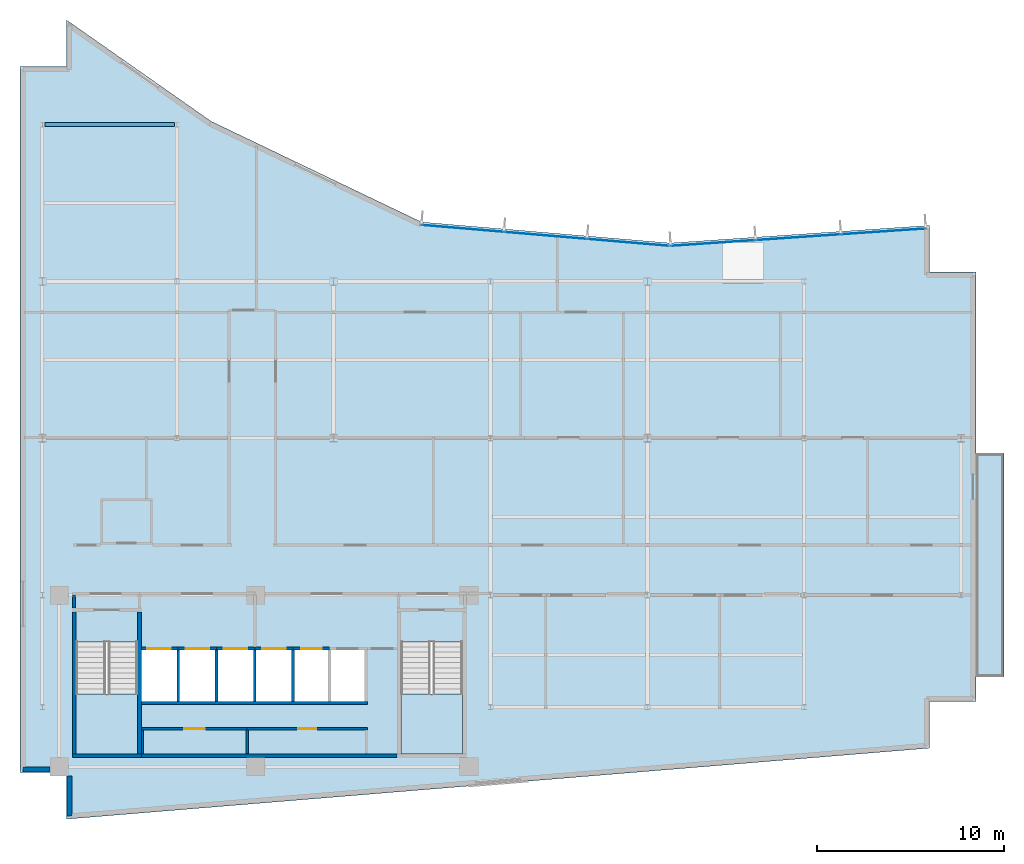
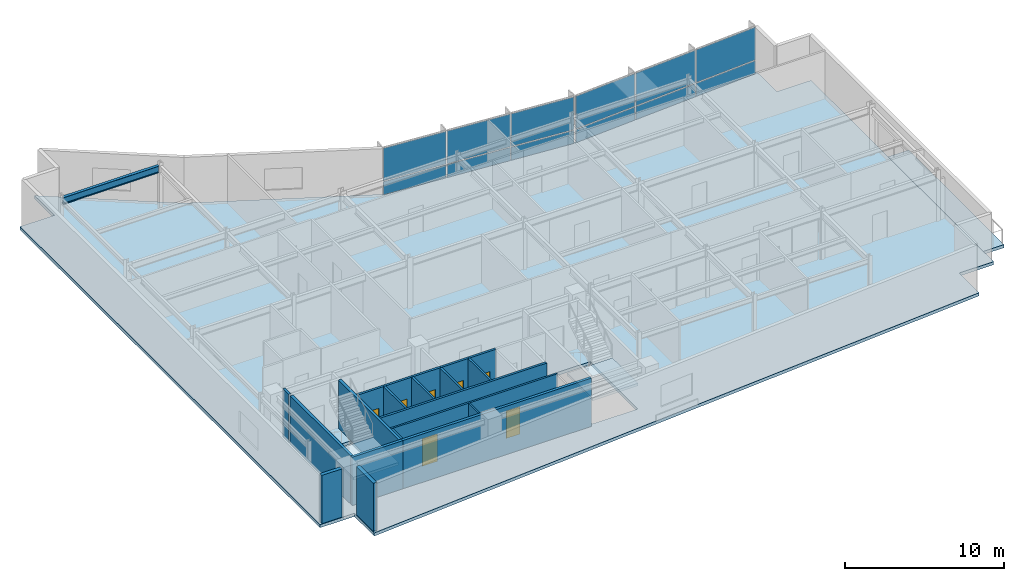
# One storey, part 8 of 14: 21 walls, 12 plates, 7 doors, 4 slabs, 1 beam, 7 openings, 4 elements without a shape of their own.
"""IFC4 building model written with IfcOpenShell, lengths in metres."""

from ifc_helpers import new_model, si_unit, direction, frame, frame_2d, origin, origin_2d, place, context, subcontext, project, spatial, polyline, rectangle, i_section, outline, extrude, material, layer, layer_set, material_profile, profile_set, type_object, element, fill, aggregate, save


model = new_model("IFC4")

# Units and contexts
model_context = context("Model", 3, precision=1e-05, world=origin(), true_north=direction((0.0, 1.0)))
body_context = subcontext(model_context, "Body", "Model", "MODEL_VIEW")
ifc_project = project(units=[si_unit("LENGTHUNIT", "METRE"), si_unit("AREAUNIT", "SQUARE_METRE"), si_unit("VOLUMEUNIT", "CUBIC_METRE"), si_unit("PLANEANGLEUNIT", "RADIAN"), si_unit("MASSUNIT", "GRAM", prefix="KILO")], contexts=[model_context])

# Site, building, storey
site_placement = place(None, origin())
site = spatial("IfcSite", under=ifc_project, at=site_placement, CompositionType="ELEMENT")
building_placement = place(site_placement, origin())
building = spatial("IfcBuilding", under=site, at=building_placement, Name="Varnakote Quay Hospital", CompositionType="ELEMENT")
storey_placement = place(building_placement, frame((0.0, 0.0, 211.85009765625)))
storey = spatial("IfcBuildingStorey", under=building, at=storey_placement, Name="L52", CompositionType="ELEMENT", Elevation=211.85009765625)

# Beam
ifc_material_1 = material(Name="Structural steel AS/NZS 3679.1 Grade 350 L0 (fy 340 MPa)", Category="steel")
ifc_material_profile = material_profile(ifc_material_1, i_section(OverallWidth=0.208984375, OverallDepth=0.532958984375, WebThickness=0.01025390625, FlangeThickness=0.015625, FilletRadius=0.013916015625, at=origin_2d()), Name="530UB92.4")
ifc_profile_set = profile_set([ifc_material_profile], Name="Structural steel AS/NZS 3679.1 Grade 350 L0 (fy 340 MPa)")
beam_type = type_object("IfcBeamType", Name="BM-STL-530UB92-4", PredefinedType="BEAM", material=ifc_profile_set)
beam_placement = place(storey_placement, frame((1.327880859375, 37.199951171875, 3.443359375), z_axis=(1.0, 0.0, 0.0), x_axis=(0.0, 1.0, 0.0)))
element("IfcBeam", 1, at=beam_placement, inside=storey, type_object=beam_type, Name="L52 Primary Floor Beam", PredefinedType="BEAM", context=body_context, shape_type="SweptSolid", body=[
    extrude(i_section(OverallWidth=0.208984375, OverallDepth=0.532958984375, WebThickness=0.01025390625, FlangeThickness=0.015625, FilletRadius=0.013916015625, at=origin_2d()), origin(), (0.0, 0.0, 1.0), 6.944091796875),
])

# Curtain wall, plates
ifc_material_2 = material(Name="Anodised aluminium 6063-T6 Bronze", Category="aluminium")
ifc_layer_1 = layer(ifc_material_2, 0.219970703125)
ifc_layer_set_1 = layer_set([ifc_layer_1], Name="Anodised aluminium 6063-T6 Bronze")
curtain_wall_type = type_object("IfcCurtainWallType", Name="CW-SYS-4", PredefinedType="NOTDEFINED", material=ifc_layer_set_1)
curtain_wall_1_placement = place(storey_placement, origin())
curtain_wall_1 = element("IfcCurtainWall", 2, at=curtain_wall_1_placement, inside=storey, type_object=curtain_wall_type, Name="L52 Unitised Bronze Curtain Wall 1", PredefinedType="NOTDEFINED")
ifc_material_3 = material(Name="Double-glazed low-E solar glass", Category="glass")
ifc_layer_2 = layer(ifc_material_3, 0.028076171875)
ifc_layer_set_2 = layer_set([ifc_layer_2], Name="Double-glazed low-E solar glass")
plate_type = type_object("IfcPlateType", Name="CW-PNL-GLZ-28", PredefinedType="CURTAIN_PANEL", material=ifc_layer_set_2)
plate_1_placement = place(storey_placement, frame((46.236328125, 31.47216796875, 0.06494140625), z_axis=(0.0, 0.0, 1.0), x_axis=(-0.997696087615, -0.067841851077, 0.0)))
plate_1 = element("IfcPlate", 3, at=plate_1_placement, type_object=plate_type, Name="-4-L52-1 panel 1.1", PredefinedType="CURTAIN_PANEL", context=body_context, shape_type="SweptSolid", body=[
    extrude(rectangle(XDim=4.48828125, YDim=0.028076171875, at=origin_2d()), origin(), (0.0, 0.0, 1.0), 1.00244140625),
])
plate_2_placement = place(storey_placement, frame((46.236328125, 31.47216796875, 1.13232421875), z_axis=(0.0, 0.0, 1.0), x_axis=(-0.997696087615, -0.067841851077, 0.0)))
plate_2 = element("IfcPlate", 4, at=plate_2_placement, type_object=plate_type, Name="-4-L52-1 panel 1.2", PredefinedType="CURTAIN_PANEL", context=body_context, shape_type="SweptSolid", body=[
    extrude(rectangle(XDim=4.48828125, YDim=0.028076171875, at=origin_2d()), origin(), (0.0, 0.0, 1.0), 2.512451171875),
])
plate_3_placement = place(storey_placement, frame((41.67724609375, 31.162109375, 0.06494140625), z_axis=(0.0, 0.0, 1.0), x_axis=(-0.997696087615, -0.067841851077, 0.0)))
plate_3 = element("IfcPlate", 5, at=plate_3_placement, type_object=plate_type, Name="-4-L52-1 panel 2.1", PredefinedType="CURTAIN_PANEL", context=body_context, shape_type="SweptSolid", body=[
    extrude(rectangle(XDim=4.520751953125, YDim=0.028076171875, at=origin_2d()), origin(), (0.0, 0.0, 1.0), 1.00244140625),
])
plate_4_placement = place(storey_placement, frame((41.67724609375, 31.162109375, 1.13232421875), z_axis=(0.0, 0.0, 1.0), x_axis=(-0.997696087615, -0.067841851077, 0.0)))
plate_4 = element("IfcPlate", 6, at=plate_4_placement, type_object=plate_type, Name="-4-L52-1 panel 2.2", PredefinedType="CURTAIN_PANEL", context=body_context, shape_type="SweptSolid", body=[
    extrude(rectangle(XDim=4.520751953125, YDim=0.028076171875, at=origin_2d()), origin(), (0.0, 0.0, 1.0), 2.512451171875),
])
plate_5_placement = place(storey_placement, frame((37.118408203125, 30.85205078125, 0.06494140625), z_axis=(0.0, 0.0, 1.0), x_axis=(-0.997696087615, -0.067841851077, 0.0)))
plate_5 = element("IfcPlate", 7, at=plate_5_placement, type_object=plate_type, Name="-4-L52-1 panel 3.1", PredefinedType="CURTAIN_PANEL", context=body_context, shape_type="SweptSolid", body=[
    extrude(rectangle(XDim=4.48828125, YDim=0.028076171875, at=origin_2d()), origin(), (0.0, 0.0, 1.0), 1.00244140625),
])
plate_6_placement = place(storey_placement, frame((37.118408203125, 30.85205078125, 1.13232421875), z_axis=(0.0, 0.0, 1.0), x_axis=(-0.997696087615, -0.067841851077, 0.0)))
plate_6 = element("IfcPlate", 8, at=plate_6_placement, type_object=plate_type, Name="-4-L52-1 panel 3.2", PredefinedType="CURTAIN_PANEL", context=body_context, shape_type="SweptSolid", body=[
    extrude(rectangle(XDim=4.48828125, YDim=0.028076171875, at=origin_2d()), origin(), (0.0, 0.0, 1.0), 2.512451171875),
])
aggregate(curtain_wall_1, [plate_1, plate_2, plate_3, plate_4, plate_5, plate_6])

curtain_wall_2_placement = place(storey_placement, origin())
curtain_wall_2 = element("IfcCurtainWall", 9, at=curtain_wall_2_placement, inside=storey, type_object=curtain_wall_type, Name="L52 Unitised Bronze Curtain Wall 2", PredefinedType="NOTDEFINED")
plate_7_placement = place(storey_placement, frame((32.572998046875, 30.884765625, 0.06494140625), z_axis=(0.0, 0.0, 1.0), x_axis=(-0.996454277304, 0.084136040089, 0.0)))
plate_7 = element("IfcPlate", 10, at=plate_7_placement, type_object=plate_type, Name="-4-L52-2 panel 1.1", PredefinedType="CURTAIN_PANEL", context=body_context, shape_type="SweptSolid", body=[
    extrude(rectangle(XDim=4.369384765625, YDim=0.028076171875, at=origin_2d()), origin(), (0.0, 0.0, 1.0), 1.00244140625),
])
plate_8_placement = place(storey_placement, frame((32.572998046875, 30.884765625, 1.13232421875), z_axis=(0.0, 0.0, 1.0), x_axis=(-0.996454277304, 0.084136040089, 0.0)))
plate_8 = element("IfcPlate", 11, at=plate_8_placement, type_object=plate_type, Name="-4-L52-2 panel 1.2", PredefinedType="CURTAIN_PANEL", context=body_context, shape_type="SweptSolid", body=[
    extrude(rectangle(XDim=4.369384765625, YDim=0.028076171875, at=origin_2d()), origin(), (0.0, 0.0, 1.0), 2.512451171875),
])
plate_9_placement = place(storey_placement, frame((28.137939453125, 31.25927734375, 0.06494140625), z_axis=(0.0, 0.0, 1.0), x_axis=(-0.996454277304, 0.084136040089, 0.0)))
plate_9 = element("IfcPlate", 12, at=plate_9_placement, type_object=plate_type, Name="-4-L52-2 panel 2.1", PredefinedType="CURTAIN_PANEL", context=body_context, shape_type="SweptSolid", body=[
    extrude(rectangle(XDim=4.40185546875, YDim=0.028076171875, at=origin_2d()), origin(), (0.0, 0.0, 1.0), 1.00244140625),
])
plate_10_placement = place(storey_placement, frame((28.137939453125, 31.25927734375, 1.13232421875), z_axis=(0.0, 0.0, 1.0), x_axis=(-0.996454277304, 0.084136040089, 0.0)))
plate_10 = element("IfcPlate", 13, at=plate_10_placement, type_object=plate_type, Name="-4-L52-2 panel 2.2", PredefinedType="CURTAIN_PANEL", context=body_context, shape_type="SweptSolid", body=[
    extrude(rectangle(XDim=4.40185546875, YDim=0.028076171875, at=origin_2d()), origin(), (0.0, 0.0, 1.0), 2.512451171875),
])
plate_11_placement = place(storey_placement, frame((23.703125, 31.6337890625, 0.06494140625), z_axis=(0.0, 0.0, 1.0), x_axis=(-0.996454277304, 0.084136040089, 0.0)))
plate_11 = element("IfcPlate", 14, at=plate_11_placement, type_object=plate_type, Name="-4-L52-2 panel 3.1", PredefinedType="CURTAIN_PANEL", context=body_context, shape_type="SweptSolid", body=[
    extrude(rectangle(XDim=4.369384765625, YDim=0.028076171875, at=origin_2d()), origin(), (0.0, 0.0, 1.0), 1.00244140625),
])
plate_12_placement = place(storey_placement, frame((23.703125, 31.6337890625, 1.13232421875), z_axis=(0.0, 0.0, 1.0), x_axis=(-0.996454277304, 0.084136040089, 0.0)))
plate_12 = element("IfcPlate", 15, at=plate_12_placement, type_object=plate_type, Name="-4-L52-2 panel 3.2", PredefinedType="CURTAIN_PANEL", context=body_context, shape_type="SweptSolid", body=[
    extrude(rectangle(XDim=4.369384765625, YDim=0.028076171875, at=origin_2d()), origin(), (0.0, 0.0, 1.0), 2.512451171875),
])
aggregate(curtain_wall_2, [plate_7, plate_8, plate_9, plate_10, plate_11, plate_12])

# Stair, slab
ifc_material_4 = material(Name="Concrete N40 (f'c 40 MPa)", Category="concrete")
stair_type = type_object("IfcStairType", Name="STR-CORE-1580", PredefinedType="HALF_TURN_STAIR", material=ifc_material_4)
stair_1_placement = place(storey_placement, origin())
stair_1 = element("IfcStair", 16, at=stair_1_placement, inside=storey, type_object=stair_type, Name="L52 Fire-Isolated Exit Stair ST-01", PredefinedType="HALF_TURN_STAIR")
ifc_material_5 = material(Name="Concrete N40 (f'c 40 MPa)", Category="concrete")
ifc_layer_3 = layer(ifc_material_5, 0.199951171875)
ifc_layer_set_3 = layer_set([ifc_layer_3], Name="Concrete N40 (f'c 40 MPa)")
slab_type_1 = type_object("IfcSlabType", Name="SLB-STAIR-LND-200", PredefinedType="LANDING", material=ifc_layer_set_3)
slab_1_placement = place(storey_placement, frame((0.0, 0.0, 1.77490234375)))
slab_1 = element("IfcSlab", 17, at=slab_1_placement, type_object=slab_type_1, Name="ST-01 landing 1", PredefinedType="LANDING", context=body_context, shape_type="SweptSolid", body=[
    extrude(outline(polyline([(3.0, 6.699951171875), (3.0, 3.5), (6.300048828125, 3.5), (6.300048828125, 6.699951171875), (3.0, 6.699951171875)])), origin(), (0.0, 0.0, 1.0), 0.199951171875),
])
aggregate(stair_1, [slab_1])

stair_2_placement = place(storey_placement, origin())
stair_2 = element("IfcStair", 18, at=stair_2_placement, inside=storey, type_object=stair_type, Name="L52 Fire-Isolated Exit Stair ST-02", PredefinedType="HALF_TURN_STAIR")
slab_2_placement = place(storey_placement, frame((0.0, 0.0, 1.77490234375)))
slab_2 = element("IfcSlab", 19, at=slab_2_placement, type_object=slab_type_1, Name="ST-02 landing 1", PredefinedType="LANDING", context=body_context, shape_type="SweptSolid", body=[
    extrude(outline(polyline([(20.39990234375, 6.699951171875), (20.39990234375, 3.5), (23.699951171875, 3.5), (23.699951171875, 6.699951171875), (20.39990234375, 6.699951171875)])), origin(), (0.0, 0.0, 1.0), 0.199951171875),
])
aggregate(stair_2, [slab_2])

# Slabs
ifc_material_6 = material(Name="Concrete N50 (f'c 50 MPa)", Category="concrete")
ifc_layer_4 = layer(ifc_material_6, 0.239990234375)
ifc_layer_set_4 = layer_set([ifc_layer_4], Name="Concrete N50 (f'c 50 MPa)")
slab_type_2 = type_object("IfcSlabType", Name="SLB-TERR-200", PredefinedType="FLOOR", material=ifc_layer_set_4)
slab_3_placement = place(storey_placement, frame((0.0, 0.0, -0.239990234375)))
element("IfcSlab", 20, at=slab_3_placement, inside=storey, type_object=slab_type_2, Name="L52 Waterfront Healing Terrace Slab", PredefinedType="FLOOR", context=body_context, shape_type="SweptSolid", body=[
    extrude(outline(polyline([(51.196044921875, 19.60009765625), (51.196044921875, 7.60009765625), (52.699951171875, 7.60009765625), (52.699951171875, 19.60009765625), (51.196044921875, 19.60009765625)])), origin(), (0.0, 0.0, 1.0), 0.239990234375),
])
ifc_material_7 = material(Name="Concrete N50 (f'c 50 MPa)", Category="concrete")
ifc_layer_5 = layer(ifc_material_7, 0.239990234375)
ifc_layer_set_5 = layer_set([ifc_layer_5], Name="Concrete N50 (f'c 50 MPa)")
slab_type_3 = type_object("IfcSlabType", Name="SLB-WARD-200", PredefinedType="FLOOR", material=ifc_layer_set_5)
slab_4_placement = place(storey_placement, frame((0.0, 0.0, -0.239990234375)))
element("IfcSlab", 21, at=slab_4_placement, inside=storey, type_object=slab_type_3, Name="L52 Primary Floor Slab", PredefinedType="FLOOR", context=body_context, shape_type="SweptSolid", body=[
    extrude(outline(polyline([(0.0, 2.5), (2.5, 2.5), (2.5, 0.0), (48.699951171875, 3.800048828125), (48.699951171875, 6.300048828125), (51.199951171875, 6.300048828125), (51.199951171875, 29.300048828125), (48.699951171875, 29.300048828125), (48.699951171875, 31.800048828125), (34.81591796875, 30.85595703125), (21.50390625, 31.97998046875), (10.239990234375, 37.3759765625), (2.5, 42.800048828125), (2.5, 40.300048828125), (0.0, 40.300048828125), (0.0, 2.5)]), holes=[polyline([(3.0, 3.5), (6.300048828125, 3.5), (6.300048828125, 9.49951171875), (3.0, 9.49951171875), (3.0, 3.5)]), polyline([(20.39990234375, 3.5), (23.699951171875, 3.5), (23.699951171875, 9.49951171875), (20.39990234375, 9.49951171875), (20.39990234375, 3.5)]), polyline([(6.5, 6.300048828125), (8.39990234375, 6.300048828125), (8.39990234375, 9.050048828125), (6.5, 9.050048828125), (6.5, 6.300048828125)]), polyline([(8.550048828125, 6.300048828125), (10.449951171875, 6.300048828125), (10.449951171875, 9.050048828125), (8.550048828125, 9.050048828125), (8.550048828125, 6.300048828125)]), polyline([(10.60009765625, 6.300048828125), (12.5, 6.300048828125), (12.5, 9.050048828125), (10.60009765625, 9.050048828125), (10.60009765625, 6.300048828125)]), polyline([(12.64990234375, 6.300048828125), (14.550048828125, 6.300048828125), (14.550048828125, 9.050048828125), (12.64990234375, 9.050048828125), (12.64990234375, 6.300048828125)]), polyline([(14.699951171875, 6.300048828125), (16.5, 6.300048828125), (16.5, 9.050048828125), (14.699951171875, 9.050048828125), (14.699951171875, 6.300048828125)]), polyline([(16.64990234375, 6.300048828125), (18.449951171875, 6.300048828125), (18.449951171875, 9.050048828125), (16.64990234375, 9.050048828125), (16.64990234375, 6.300048828125)])]), origin(), (0.0, 0.0, 1.0), 0.239990234375),
])

# Walls
ifc_material_8 = material(Name="Fire-rated acoustic gypsum stud wall", Category="gypsum")
ifc_layer_6 = layer(ifc_material_8, 0.159912109375)
ifc_layer_set_6 = layer_set([ifc_layer_6], Name="Fire-rated acoustic gypsum stud wall")
wall_type_1 = type_object("IfcWallType", Name="WL-COMP-160", PredefinedType="PARTITIONING", material=ifc_layer_set_6)
wall_1_placement = place(storey_placement, frame((2.8798828125, 11.300048828125, 0.0), z_axis=(0.0, 0.0, 1.0), x_axis=(0.0, 1.0, 0.0)))
element("IfcWall", 22, at=wall_1_placement, inside=storey, type_object=wall_type_1, Name="L52 West Stair Vestibule West Wall", PredefinedType="PARTITIONING", context=body_context, shape_type="SweptSolid", body=[
    extrude(rectangle(XDim=0.699951171875, YDim=0.159912109375, at=frame_2d((0.35009765625, 0.0))), origin(), (0.0, 0.0, 1.0), 3.7099609375),
])
ifc_material_9 = material(Name="Concrete N50 (f'c 50 MPa)", Category="concrete")
ifc_layer_7 = layer(ifc_material_9, 0.199951171875)
ifc_layer_set_7 = layer_set([ifc_layer_7], Name="Concrete N50 (f'c 50 MPa)")
wall_type_2 = type_object("IfcWallType", Name="WL-CORE-N50-200", PredefinedType="SHEAR", material=ifc_layer_set_7)
wall_2_placement = place(storey_placement, frame((6.5, 3.39990234375, 0.0), z_axis=(0.0, 0.0, 1.0), x_axis=(1.0, 0.0, 0.0)))
element("IfcWall", 23, at=wall_2_placement, inside=storey, type_object=wall_type_2, Name="L52 Rear Core South Shear Wall", PredefinedType="SHEAR", context=body_context, shape_type="SweptSolid", body=[
    extrude(rectangle(XDim=13.699951171875, YDim=0.199951171875, at=frame_2d((6.85009765625, 0.0))), origin(), (0.0, 0.0, 1.0), 3.7099609375),
])
ifc_material_10 = material(Name="Precast concrete N50 (f'c 50 MPa)", Category="concrete")
ifc_layer_8 = layer(ifc_material_10, 0.260009765625)
ifc_layer_set_8 = layer_set([ifc_layer_8], Name="Precast concrete N50 (f'c 50 MPa)")
wall_type_3 = type_object("IfcWallType", Name="WL-EXT-BRICK-260", PredefinedType="STANDARD", material=ifc_layer_set_8)
wall_3_placement = place(storey_placement, frame((2.659912109375, 2.31494140625, 0.0), z_axis=(0.0, 0.0, 1.0), x_axis=(0.0, -1.0, 0.0)))
element("IfcWall", 24, at=wall_3_placement, inside=storey, type_object=wall_type_3, Name="L52 Brick-Faced Precast Exterior Wall", PredefinedType="STANDARD", context=body_context, shape_type="SweptSolid", body=[
    extrude(rectangle(XDim=2.141357421875, YDim=0.260009765625, at=frame_2d((1.07080078125, 0.0))), origin(), (0.0, 0.0, 1.0), 3.7099609375),
])
wall_4_placement = place(storey_placement, frame((0.159912109375, 2.659912109375, 0.0), z_axis=(0.0, 0.0, 1.0), x_axis=(1.0, 0.0, 0.0)))
element("IfcWall", 25, at=wall_4_placement, inside=storey, type_object=wall_type_3, Name="L52 Brick-Faced Precast Exterior Wall", PredefinedType="STANDARD", context=body_context, shape_type="SweptSolid", body=[
    extrude(rectangle(XDim=1.455078125, YDim=0.260009765625, at=frame_2d((0.7275390625, 0.0))), origin(), (0.0, 0.0, 1.0), 3.7099609375),
])
ifc_material_11 = material(Name="Concrete N50 (f'c 50 MPa)", Category="concrete")
ifc_layer_9 = layer(ifc_material_11, 0.14990234375)
ifc_layer_set_9 = layer_set([ifc_layer_9], Name="Concrete N50 (f'c 50 MPa)")
wall_type_4 = type_object("IfcWallType", Name="WL-SHAFT-N50-150", PredefinedType="SHEAR", material=ifc_layer_set_9)
for number, where, z_axis, x_axis, name in (
    (26, (8.47509765625, 6.300048828125, 0.0), (0.0, 0.0, 1.0), (0.0, 1.0, 0.0), "L52 LF-FF1 Hoistway Divider Wall"),
    (27, (10.52490234375, 6.300048828125, 0.0), (0.0, 0.0, 1.0), (0.0, 1.0, 0.0), "L52 LF-FF2 Hoistway Divider Wall"),
    (28, (12.574951171875, 6.300048828125, 0.0), (0.0, 0.0, 1.0), (0.0, 1.0, 0.0), "L52 LF-SV1 Hoistway Divider Wall"),
    (29, (14.625, 6.300048828125, 0.0), (0.0, 0.0, 1.0), (0.0, 1.0, 0.0), "L52 LF-SV2 Hoistway Divider Wall"),
):
    element("IfcWall", number, at=place(storey_placement, frame(where, z_axis=z_axis, x_axis=x_axis)), inside=storey, type_object=wall_type_4, Name=name, PredefinedType="SHEAR", context=body_context, shape_type="SweptSolid", body=[
        extrude(rectangle(XDim=2.75, YDim=0.14990234375, at=frame_2d((1.375, 0.0))), origin(), (0.0, 0.0, 1.0), 3.7099609375),
    ])
ifc_material_12 = material(Name="Concrete N50 (f'c 50 MPa)", Category="concrete")
ifc_layer_10 = layer(ifc_material_12, 0.159912109375)
ifc_layer_set_10 = layer_set([ifc_layer_10], Name="Concrete N50 (f'c 50 MPa)")
wall_type_5 = type_object("IfcWallType", Name="WL-SHAFT-N50-160", PredefinedType="SHEAR", material=ifc_layer_set_10)
wall_5_placement = place(storey_placement, frame((6.5, 6.219970703125, 0.0), z_axis=(0.0, 0.0, 1.0), x_axis=(1.0, 0.0, 0.0)))
element("IfcWall", 30, at=wall_5_placement, inside=storey, type_object=wall_type_5, Name="L52 REAR Lift Bank Back Shear Wall", PredefinedType="SHEAR", context=body_context, shape_type="SweptSolid", body=[
    extrude(rectangle(XDim=12.110107421875, YDim=0.159912109375, at=frame_2d((6.05517578125, 0.0))), origin(), (0.0, 0.0, 1.0), 3.7099609375),
])

# Wall, opening, door
wall_6_placement = place(storey_placement, frame((6.5, 9.1298828125, 0.0), z_axis=(0.0, 0.0, 1.0), x_axis=(1.0, 0.0, 0.0)))
wall_6 = element("IfcWall", 31, at=wall_6_placement, inside=storey, type_object=wall_type_5, Name="L52 LF-FF1 Hoistway Front Wall", PredefinedType="SHEAR", context=body_context, shape_type="SweptSolid", body=[
    extrude(rectangle(XDim=1.97509765625, YDim=0.159912109375, at=frame_2d((0.987548828125, 0.0))), origin(), (0.0, 0.0, 1.0), 3.7099609375),
])
opening_1_placement = place(wall_6_placement, frame((0.324951171875, 0.0, 0.0)))
opening_1 = element("IfcOpeningElement", 32, at=opening_1_placement, cuts=wall_6, Name="Opening LD-FF1-L52", PredefinedType="OPENING", context=body_context, shape_type="SweptSolid", body=[
    extrude(rectangle(XDim=1.25, YDim=2.14990234375, at=frame_2d((0.625, 1.074951171875))), frame((0.0, 0.08984375, 0.0), z_axis=(0.0, -1.0, 0.0), x_axis=(1.0, 0.0, 0.0)), (0.0, 0.0, 1.0), 0.179931640625),
])
ifc_material_13 = material(Name="Stainless steel lift landing sliding door", Category="steel")
door_type_1 = type_object("IfcDoorType", Name="DR-LIFT-LD-1250x2150", OperationType="NOTDEFINED", PredefinedType="DOOR", material=ifc_material_13)
door_1_placement = place(opening_1_placement, origin())
door_1 = element("IfcDoor", 33, at=door_1_placement, inside=storey, type_object=door_type_1, Name="L52 LF-FF1 Lift Landing Sliding Door", OperationType="SLIDING_TO_LEFT", OverallHeight=2.14990234375, OverallWidth=1.25, PredefinedType="DOOR", context=body_context, shape_type="SweptSolid", body=[
    extrude(rectangle(XDim=1.25, YDim=2.14990234375, at=frame_2d((0.625, 1.074951171875))), frame((0.0, 0.02490234375, 0.0), z_axis=(0.0, -1.0, 0.0), x_axis=(1.0, 0.0, 0.0)), (0.0, 0.0, 1.0), 0.050048828125),
])
fill(opening_1, door_1)

wall_7_placement = place(storey_placement, frame((8.47509765625, 9.1298828125, 0.0), z_axis=(0.0, 0.0, 1.0), x_axis=(1.0, 0.0, 0.0)))
wall_7 = element("IfcWall", 34, at=wall_7_placement, inside=storey, type_object=wall_type_5, Name="L52 LF-FF2 Hoistway Front Wall", PredefinedType="SHEAR", context=body_context, shape_type="SweptSolid", body=[
    extrude(rectangle(XDim=2.0498046875, YDim=0.159912109375, at=frame_2d((1.02490234375, 0.0))), origin(), (0.0, 0.0, 1.0), 3.7099609375),
])
opening_2_placement = place(wall_7_placement, frame((0.39990234375, 0.0, 0.0)))
opening_2 = element("IfcOpeningElement", 35, at=opening_2_placement, cuts=wall_7, Name="Opening LD-FF2-L52", PredefinedType="OPENING", context=body_context, shape_type="SweptSolid", body=[
    extrude(rectangle(XDim=1.25, YDim=2.14990234375, at=frame_2d((0.625, 1.074951171875))), frame((0.0, 0.08984375, 0.0), z_axis=(0.0, -1.0, 0.0), x_axis=(1.0, 0.0, 0.0)), (0.0, 0.0, 1.0), 0.179931640625),
])
door_2_placement = place(opening_2_placement, origin())
door_2 = element("IfcDoor", 36, at=door_2_placement, inside=storey, type_object=door_type_1, Name="L52 LF-FF2 Lift Landing Sliding Door", OperationType="SLIDING_TO_LEFT", OverallHeight=2.14990234375, OverallWidth=1.25, PredefinedType="DOOR", context=body_context, shape_type="SweptSolid", body=[
    extrude(rectangle(XDim=1.25, YDim=2.14990234375, at=frame_2d((0.625, 1.074951171875))), frame((0.0, 0.02490234375, 0.0), z_axis=(0.0, -1.0, 0.0), x_axis=(1.0, 0.0, 0.0)), (0.0, 0.0, 1.0), 0.050048828125),
])
fill(opening_2, door_2)

wall_8_placement = place(storey_placement, frame((10.52490234375, 9.1298828125, 0.0), z_axis=(0.0, 0.0, 1.0), x_axis=(1.0, 0.0, 0.0)))
wall_8 = element("IfcWall", 37, at=wall_8_placement, inside=storey, type_object=wall_type_5, Name="L52 LF-SV1 Hoistway Front Wall", PredefinedType="SHEAR", context=body_context, shape_type="SweptSolid", body=[
    extrude(rectangle(XDim=2.050048828125, YDim=0.159912109375, at=frame_2d((1.02490234375, 0.0))), origin(), (0.0, 0.0, 1.0), 3.7099609375),
])
opening_3_placement = place(wall_8_placement, frame((0.39990234375, 0.0, 0.0)))
opening_3 = element("IfcOpeningElement", 38, at=opening_3_placement, cuts=wall_8, Name="Opening LD-SV1-L52", PredefinedType="OPENING", context=body_context, shape_type="SweptSolid", body=[
    extrude(rectangle(XDim=1.25, YDim=2.14990234375, at=frame_2d((0.625, 1.074951171875))), frame((0.0, 0.08984375, 0.0), z_axis=(0.0, -1.0, 0.0), x_axis=(1.0, 0.0, 0.0)), (0.0, 0.0, 1.0), 0.179931640625),
])
door_3_placement = place(opening_3_placement, origin())
door_3 = element("IfcDoor", 39, at=door_3_placement, inside=storey, type_object=door_type_1, Name="L52 LF-SV1 Lift Landing Sliding Door", OperationType="SLIDING_TO_LEFT", OverallHeight=2.14990234375, OverallWidth=1.25, PredefinedType="DOOR", context=body_context, shape_type="SweptSolid", body=[
    extrude(rectangle(XDim=1.25, YDim=2.14990234375, at=frame_2d((0.625, 1.074951171875))), frame((0.0, 0.02490234375, 0.0), z_axis=(0.0, -1.0, 0.0), x_axis=(1.0, 0.0, 0.0)), (0.0, 0.0, 1.0), 0.050048828125),
])
fill(opening_3, door_3)

wall_9_placement = place(storey_placement, frame((12.574951171875, 9.1298828125, 0.0), z_axis=(0.0, 0.0, 1.0), x_axis=(1.0, 0.0, 0.0)))
wall_9 = element("IfcWall", 40, at=wall_9_placement, inside=storey, type_object=wall_type_5, Name="L52 LF-SV2 Hoistway Front Wall", PredefinedType="SHEAR", context=body_context, shape_type="SweptSolid", body=[
    extrude(rectangle(XDim=2.050048828125, YDim=0.159912109375, at=frame_2d((1.02490234375, 0.0))), origin(), (0.0, 0.0, 1.0), 3.7099609375),
])
opening_4_placement = place(wall_9_placement, frame((0.39990234375, 0.0, 0.0)))
opening_4 = element("IfcOpeningElement", 41, at=opening_4_placement, cuts=wall_9, Name="Opening LD-SV2-L52", PredefinedType="OPENING", context=body_context, shape_type="SweptSolid", body=[
    extrude(rectangle(XDim=1.25, YDim=2.14990234375, at=frame_2d((0.625, 1.074951171875))), frame((0.0, 0.08984375, 0.0), z_axis=(0.0, -1.0, 0.0), x_axis=(1.0, 0.0, 0.0)), (0.0, 0.0, 1.0), 0.179931640625),
])
door_4_placement = place(opening_4_placement, origin())
door_4 = element("IfcDoor", 42, at=door_4_placement, inside=storey, type_object=door_type_1, Name="L52 LF-SV2 Lift Landing Sliding Door", OperationType="SLIDING_TO_LEFT", OverallHeight=2.14990234375, OverallWidth=1.25, PredefinedType="DOOR", context=body_context, shape_type="SweptSolid", body=[
    extrude(rectangle(XDim=1.25, YDim=2.14990234375, at=frame_2d((0.625, 1.074951171875))), frame((0.0, 0.02490234375, 0.0), z_axis=(0.0, -1.0, 0.0), x_axis=(1.0, 0.0, 0.0)), (0.0, 0.0, 1.0), 0.050048828125),
])
fill(opening_4, door_4)

wall_10_placement = place(storey_placement, frame((14.625, 9.1298828125, 0.0), z_axis=(0.0, 0.0, 1.0), x_axis=(1.0, 0.0, 0.0)))
wall_10 = element("IfcWall", 43, at=wall_10_placement, inside=storey, type_object=wall_type_5, Name="L52 LF-PH1 Hoistway Front Wall", PredefinedType="SHEAR", context=body_context, shape_type="SweptSolid", body=[
    extrude(rectangle(XDim=1.949951171875, YDim=0.159912109375, at=frame_2d((0.97509765625, 0.0))), origin(), (0.0, 0.0, 1.0), 3.7099609375),
])
opening_5_placement = place(wall_10_placement, frame((0.425048828125, 0.0, 0.0)))
opening_5 = element("IfcOpeningElement", 44, at=opening_5_placement, cuts=wall_10, Name="Opening LD-PH1-L52", PredefinedType="OPENING", context=body_context, shape_type="SweptSolid", body=[
    extrude(rectangle(XDim=1.10009765625, YDim=2.14990234375, at=frame_2d((0.550048828125, 1.074951171875))), frame((0.0, 0.08984375, 0.0), z_axis=(0.0, -1.0, 0.0), x_axis=(1.0, 0.0, 0.0)), (0.0, 0.0, 1.0), 0.179931640625),
])
ifc_material_14 = material(Name="Brushed bronze lift landing sliding door")
door_type_2 = type_object("IfcDoorType", Name="DR-LIFT-LD-1100x2150", OperationType="NOTDEFINED", PredefinedType="DOOR", material=ifc_material_14)
door_5_placement = place(opening_5_placement, origin())
door_5 = element("IfcDoor", 45, at=door_5_placement, inside=storey, type_object=door_type_2, Name="L52 LF-PH1 Lift Landing Sliding Door", OperationType="SLIDING_TO_LEFT", OverallHeight=2.14990234375, OverallWidth=1.10009765625, PredefinedType="DOOR", context=body_context, shape_type="SweptSolid", body=[
    extrude(rectangle(XDim=1.10009765625, YDim=2.14990234375, at=frame_2d((0.550048828125, 1.074951171875))), frame((0.0, 0.02490234375, 0.0), z_axis=(0.0, -1.0, 0.0), x_axis=(1.0, 0.0, 0.0)), (0.0, 0.0, 1.0), 0.050048828125),
])
fill(opening_5, door_5)

# Walls
ifc_material_15 = material(Name="Concrete N50 (f'c 50 MPa)", Category="concrete")
ifc_layer_11 = layer(ifc_material_15, 0.199951171875)
ifc_layer_set_11 = layer_set([ifc_layer_11], Name="Concrete N50 (f'c 50 MPa)")
wall_type_6 = type_object("IfcWallType", Name="WL-SHAFT-N50-200", PredefinedType="SHEAR", material=ifc_layer_set_11)
wall_11_placement = place(storey_placement, frame((2.800048828125, 3.39990234375, 0.0), z_axis=(0.0, 0.0, 1.0), x_axis=(1.0, 0.0, 0.0)))
element("IfcWall", 46, at=wall_11_placement, inside=storey, type_object=wall_type_6, Name="L52 Stair ST1 South Shaft Wall", PredefinedType="SHEAR", context=body_context, shape_type="SweptSolid", body=[
    extrude(rectangle(XDim=3.699951171875, YDim=0.199951171875, at=frame_2d((1.85009765625, 0.0))), origin(), (0.0, 0.0, 1.0), 3.7099609375),
])
for number, where, z_axis, x_axis, name in (
    (47, (2.89990234375, 3.5, 0.0), (0.0, 0.0, 1.0), (0.0, 1.0, 0.0), "L52 Stair ST1 West Shaft Wall"),
    (48, (6.39990234375, 3.5, 0.0), (0.0, 0.0, 1.0), (0.0, 1.0, 0.0), "L52 Stair ST1 East Shaft Wall"),
):
    element("IfcWall", number, at=place(storey_placement, frame(where, z_axis=z_axis, x_axis=x_axis)), inside=storey, type_object=wall_type_6, Name=name, PredefinedType="SHEAR", context=body_context, shape_type="SweptSolid", body=[
        extrude(rectangle(XDim=7.60009765625, YDim=0.199951171875, at=frame_2d((3.800048828125, 0.0))), origin(), (0.0, 0.0, 1.0), 3.7099609375),
    ])
ifc_material_16 = material(Name="Smoke-proof clinical partition", Category="gypsum")
ifc_layer_12 = layer(ifc_material_16, 0.1201171875)
ifc_layer_set_12 = layer_set([ifc_layer_12], Name="Smoke-proof clinical partition")
wall_type_7 = type_object("IfcWallType", Name="WL-SMOKE-120", PredefinedType="PARTITIONING", material=ifc_layer_set_12)
for number, where, z_axis, x_axis, name in (
    (49, (6.56005859375, 3.52001953125, 0.0), (0.0, 0.0, 1.0), (0.0, 1.0, 0.0), "L52 Core South Service West Wall"),
    (50, (12.169921875, 3.52001953125, 0.0), (0.0, 0.0, 1.0), (0.0, 1.0, 0.0), "L52 Core South Service Divider"),
):
    element("IfcWall", number, at=place(storey_placement, frame(where, z_axis=z_axis, x_axis=x_axis)), inside=storey, type_object=wall_type_7, Name=name, PredefinedType="PARTITIONING", context=body_context, shape_type="SweptSolid", body=[
        extrude(rectangle(XDim=1.260009765625, YDim=0.1201171875, at=frame_2d((0.6298828125, 0.0))), origin(), (0.0, 0.0, 1.0), 3.7099609375),
    ])

# Wall, opening, door
ifc_material_17 = material(Name="Fire-rated clinical gypsum partition", Category="gypsum")
ifc_layer_13 = layer(ifc_material_17, 0.139892578125)
ifc_layer_set_13 = layer_set([ifc_layer_13], Name="Fire-rated clinical gypsum partition")
wall_type_8 = type_object("IfcWallType", Name="WL-WARD-140", PredefinedType="PARTITIONING", material=ifc_layer_set_13)
wall_12_placement = place(storey_placement, frame((6.5, 4.85009765625, 0.0), z_axis=(0.0, 0.0, 1.0), x_axis=(1.0, 0.0, 0.0)))
wall_12 = element("IfcWall", 51, at=wall_12_placement, inside=storey, type_object=wall_type_8, Name="L52 Core Clean Linen Store North Wall", PredefinedType="PARTITIONING", context=body_context, shape_type="SweptSolid", body=[
    extrude(rectangle(XDim=5.669921875, YDim=0.139892578125, at=frame_2d((2.8349609375, 0.0))), origin(), (0.0, 0.0, 1.0), 3.7099609375),
])
opening_6_placement = place(wall_12_placement, frame((2.284912109375, 0.0, 0.0)))
opening_6 = element("IfcOpeningElement", 52, at=opening_6_placement, cuts=wall_12, Name="Opening D-L52-CR01", PredefinedType="OPENING", context=body_context, shape_type="SweptSolid", body=[
    extrude(rectangle(XDim=1.10009765625, YDim=2.10009765625, at=frame_2d((0.550048828125, 1.050048828125))), frame((0.0, 0.079833984375, 0.0), z_axis=(0.0, -1.0, 0.0), x_axis=(1.0, 0.0, 0.0)), (0.0, 0.0, 1.0), 0.159912109375),
])
ifc_material_18 = material(Name="Acoustic timber clinical consult door", Category="wood")
door_type_3 = type_object("IfcDoorType", Name="DR-CLIN-FD30S-1100x2100", OperationType="NOTDEFINED", PredefinedType="DOOR", material=ifc_material_18)
door_6_placement = place(opening_6_placement, origin())
door_6 = element("IfcDoor", 53, at=door_6_placement, inside=storey, type_object=door_type_3, Name="L52 Core Clean Linen Store Door", OperationType="SINGLE_SWING_LEFT", OverallHeight=2.10009765625, OverallWidth=1.10009765625, PredefinedType="DOOR", context=body_context, shape_type="SweptSolid", body=[
    extrude(rectangle(XDim=1.10009765625, YDim=2.10009765625, at=frame_2d((0.550048828125, 1.050048828125))), frame((0.0, 0.02490234375, 0.0), z_axis=(0.0, -1.0, 0.0), x_axis=(1.0, 0.0, 0.0)), (0.0, 0.0, 1.0), 0.050048828125),
])
fill(opening_6, door_6)

wall_13_placement = place(storey_placement, frame((12.169921875, 4.85009765625, 0.0), z_axis=(0.0, 0.0, 1.0), x_axis=(1.0, 0.0, 0.0)))
wall_13 = element("IfcWall", 54, at=wall_13_placement, inside=storey, type_object=wall_type_8, Name="L52 Core Staff Sanitary WC North Wall", PredefinedType="PARTITIONING", context=body_context, shape_type="SweptSolid", body=[
    extrude(rectangle(XDim=6.43017578125, YDim=0.139892578125, at=frame_2d((3.215087890625, 0.0))), origin(), (0.0, 0.0, 1.0), 3.7099609375),
])
opening_7_placement = place(wall_13_placement, frame((2.72509765625, 0.0, 0.0)))
opening_7 = element("IfcOpeningElement", 55, at=opening_7_placement, cuts=wall_13, Name="Opening D-L52-CR02", PredefinedType="OPENING", context=body_context, shape_type="SweptSolid", body=[
    extrude(rectangle(XDim=0.97998046875, YDim=2.10009765625, at=frame_2d((0.489990234375, 1.050048828125))), frame((0.0, 0.079833984375, 0.0), z_axis=(0.0, -1.0, 0.0), x_axis=(1.0, 0.0, 0.0)), (0.0, 0.0, 1.0), 0.159912109375),
])
ifc_material_19 = material(Name="Accessible sanitary compartment door")
door_type_4 = type_object("IfcDoorType", Name="DR-WC-980x2100", OperationType="NOTDEFINED", PredefinedType="DOOR", material=ifc_material_19)
door_7_placement = place(opening_7_placement, origin())
door_7 = element("IfcDoor", 56, at=door_7_placement, inside=storey, type_object=door_type_4, Name="L52 Core Staff Sanitary WC Door", OperationType="SINGLE_SWING_RIGHT", OverallHeight=2.10009765625, OverallWidth=0.97998046875, PredefinedType="DOOR", context=body_context, shape_type="SweptSolid", body=[
    extrude(rectangle(XDim=0.97998046875, YDim=2.10009765625, at=frame_2d((0.489990234375, 1.050048828125))), frame((0.0, 0.02490234375, 0.0), z_axis=(0.0, -1.0, 0.0), x_axis=(1.0, 0.0, 0.0)), (0.0, 0.0, 1.0), 0.050048828125),
])
fill(opening_7, door_7)

save(model, "model.ifc")
